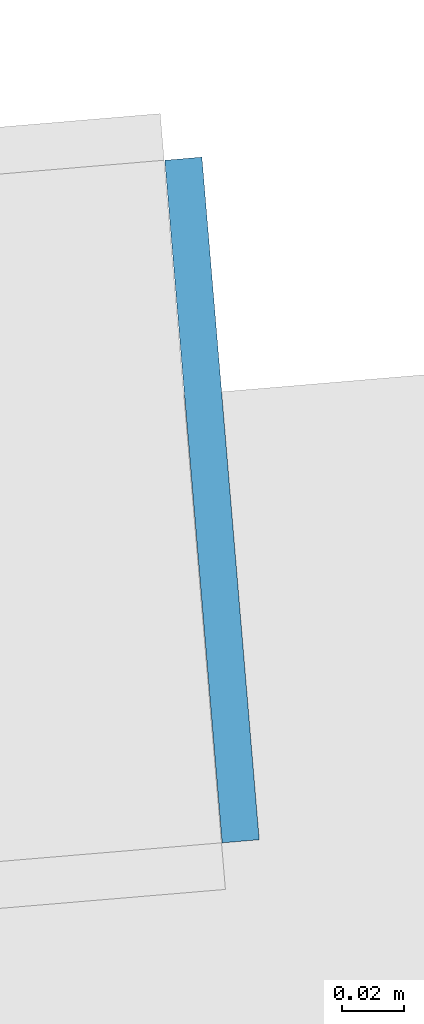
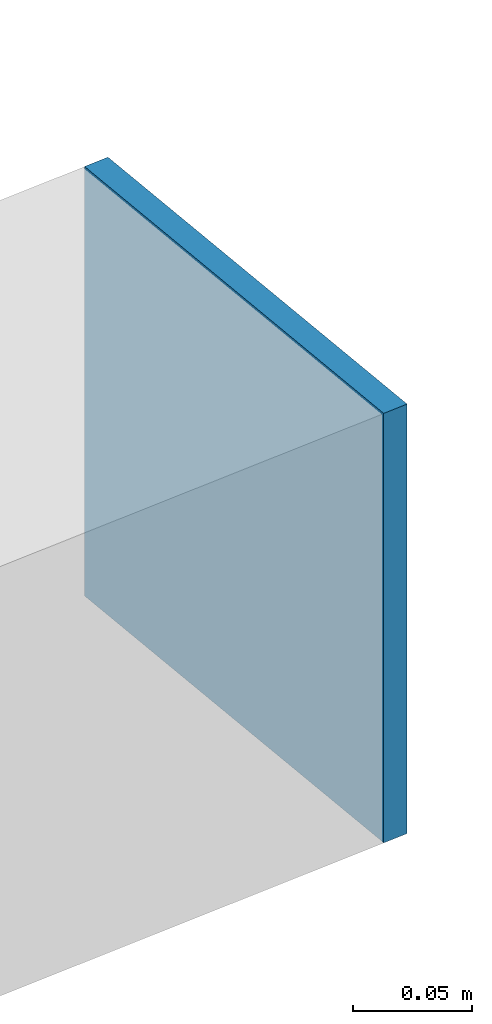
# One storey, part 34 of 39: 1 plate.
"""IFC4 building model written with IfcOpenShell, lengths in metres."""

from ifc_helpers import new_model, si_unit, direction, frame, origin, origin_2d, place, context, subcontext, project, spatial, rectangle, extrude, source, transform, mapped, material, layer, layer_set, type_object, element, save


model = new_model("IFC4")

# Units and contexts
model_context = context("Model", 3, precision=1e-05, world=origin(), true_north=direction((0.0, 1.0)))
body_context = subcontext(model_context, "Body", "Model", "MODEL_VIEW")
ifc_project = project(units=[si_unit("LENGTHUNIT", "METRE"), si_unit("AREAUNIT", "SQUARE_METRE"), si_unit("VOLUMEUNIT", "CUBIC_METRE"), si_unit("PLANEANGLEUNIT", "RADIAN"), si_unit("MASSUNIT", "GRAM", prefix="KILO")], contexts=[model_context])

# Site, building, storey
site_placement = place(None, origin())
site = spatial("IfcSite", under=ifc_project, at=site_placement, CompositionType="ELEMENT")
building_placement = place(site_placement, origin())
building = spatial("IfcBuilding", under=site, at=building_placement, Name="Taldren Reach Tower", CompositionType="ELEMENT")
storey_placement = place(building_placement, frame((0.0, 0.0, 204.050048828125)))
storey = spatial("IfcBuildingStorey", under=building, at=storey_placement, Name="L62", CompositionType="ELEMENT", Elevation=204.050048828125)

# Plate
ifc_material = material(Name="Steel Gr 450 (C450L0)", Category="steel")
ifc_layer = layer(ifc_material, 0.011962890625)
ifc_layer_set = layer_set([ifc_layer], Name="Steel Gr 450 (C450L0)")
plate_type = type_object("IfcPlateType", Name="PL-CAP-220", PredefinedType="SHEET", material=ifc_layer_set)
shared_shape = source(origin(), body_context, "Body", "SweptSolid", [
    extrude(rectangle(XDim=0.011962890625, YDim=0.219970703125, at=origin_2d()), origin(), (0.0, 0.0, 1.0), 0.219970703125),
])
plate_placement = place(storey_placement, frame((61.14697265625, 33.76220703125, 2.47998046875), z_axis=(0.0, 0.0, 1.0), x_axis=(0.99649285925, 0.083677843332, 0.0)))
element("IfcPlate", 1, at=plate_placement, inside=storey, type_object=plate_type, Name="Tie strut end cap plate B4-E3 L62", PredefinedType="SHEET", context=body_context, shape_type="MappedRepresentation", body=[
    mapped(shared_shape, transform((0.0, 0.0, 0.0), scale=1.0)),
])

save(model, "model.ifc")
